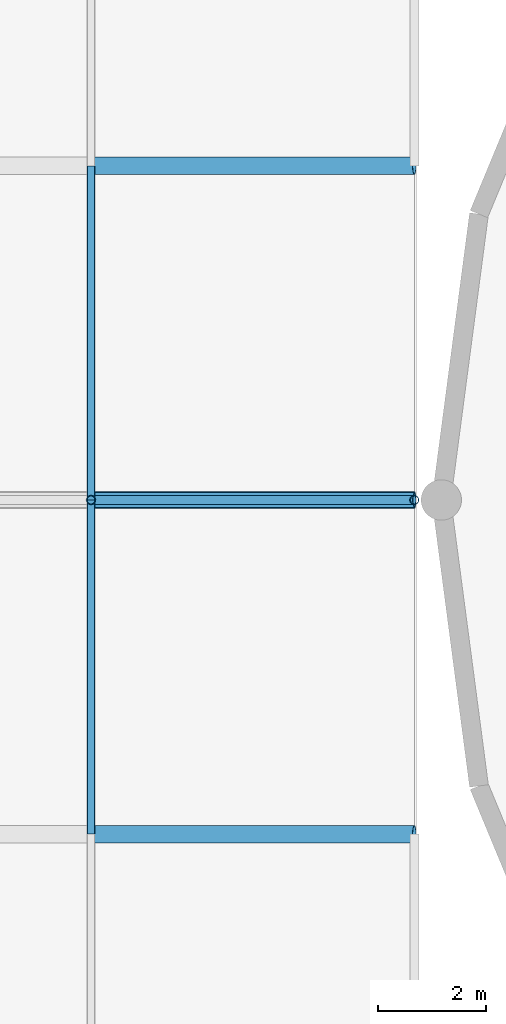
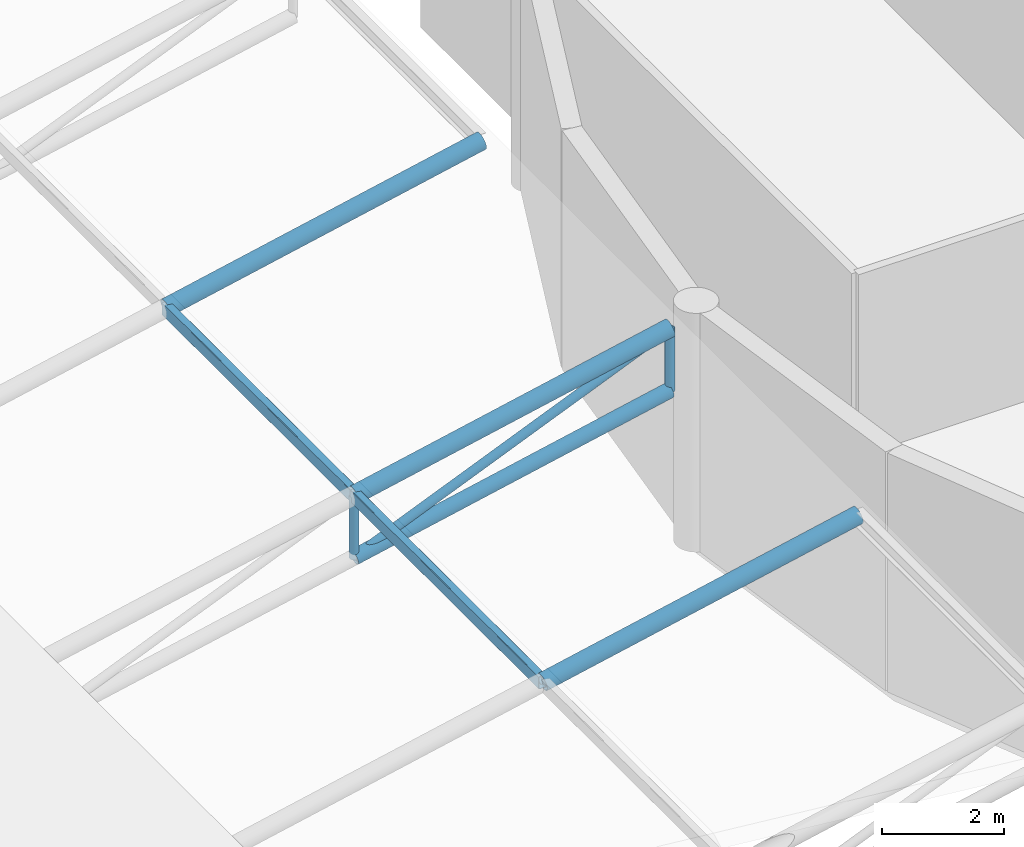
# One storey, part 18 of 48: 9 members.
"""IFC4 building model written with IfcOpenShell, lengths in metres."""

from ifc_helpers import new_model, si_unit, direction, frame, origin, origin_2d, place, context, subcontext, project, spatial, hollow_rectangle, hollow_circle, extrude, material, material_profile, profile_set, type_object, element, save


model = new_model("IFC4")

# Units and contexts
model_context = context("Model", 3, precision=1e-05, world=origin(), true_north=direction((0.0, 1.0)))
body_context = subcontext(model_context, "Body", "Model", "MODEL_VIEW")
ifc_project = project(units=[si_unit("LENGTHUNIT", "METRE"), si_unit("AREAUNIT", "SQUARE_METRE"), si_unit("VOLUMEUNIT", "CUBIC_METRE"), si_unit("PLANEANGLEUNIT", "RADIAN"), si_unit("MASSUNIT", "GRAM", prefix="KILO")], contexts=[model_context])

# Site, building, storey
site_placement = place(None, origin())
site = spatial("IfcSite", under=ifc_project, at=site_placement, CompositionType="ELEMENT")
building_placement = place(site_placement, origin())
building = spatial("IfcBuilding", under=site, at=building_placement, Name="Mirzam Square Science Centre", CompositionType="ELEMENT")
storey_placement = place(building_placement, frame((0.0, 0.0, 20.39990234375)))
storey = spatial("IfcBuildingStorey", under=building, at=storey_placement, Name="L04", CompositionType="ELEMENT", Elevation=20.39990234375)

# Members
ifc_material = material(Name="Steel S355", Category="steel")
ifc_material_profile_1 = material_profile(ifc_material, hollow_circle(Radius=0.084228515625, WallThickness=0.008056640625, at=origin_2d()), Name="168.3x8.0CHS")
ifc_profile_set_1 = profile_set([ifc_material_profile_1], Name="Steel S355")
member_type_1 = type_object("IfcMemberType", Name="BR-CHS168", PredefinedType="BRACE", material=ifc_profile_set_1)
member_1_placement = place(storey_placement, frame((54.0, 62.0, 1.91455078125), z_axis=(0.922529582988, 0.0, 0.385926377063), x_axis=(0.0, 1.0, 0.0)))
element("IfcMember", 1, at=member_1_placement, inside=storey, type_object=member_type_1, Name="Wedge truss web diagonal Y11 bay 10", PredefinedType="BRACE", context=body_context, shape_type="SweptSolid", body=[
    extrude(hollow_circle(Radius=0.084228515625, WallThickness=0.008056640625, at=origin_2d()), origin(), (0.0, 0.0, 1.0), 6.50390625),
])
for number, where, z_axis, x_axis, name in (
    (2, (54.0, 62.0, 1.91455078125), (0.0, 0.0, 1.0), (1.0, 0.0, 0.0), "Wedge truss post Y11 bay 10"),
    (3, (60.0, 62.0, 3.174560546875), (0.0, 0.0, 1.0), (1.0, 0.0, 0.0), "Wedge truss end post Y11"),
):
    element("IfcMember", number, at=place(storey_placement, frame(where, z_axis=z_axis, x_axis=x_axis)), inside=storey, type_object=member_type_1, Name=name, PredefinedType="BRACE", context=body_context, shape_type="SweptSolid", body=[
        extrude(hollow_circle(Radius=0.084228515625, WallThickness=0.008056640625, at=origin_2d()), origin(), (0.0, 0.0, 1.0), 1.25),
    ])
ifc_material_profile_2 = material_profile(ifc_material, hollow_circle(Radius=0.136474609375, WallThickness=0.010009765625, at=origin_2d()), Name="273.0x10.0CHS")
ifc_profile_set_2 = profile_set([ifc_material_profile_2], Name="Steel S355")
member_type_2 = type_object("IfcMemberType", Name="CH-CHS273", PredefinedType="CHORD", material=ifc_profile_set_2)
member_2_placement = place(storey_placement, frame((54.0, 62.0, 1.91455078125), z_axis=(0.978653176229, 0.0, 0.205518759868), x_axis=(0.0, 1.0, 0.0)))
element("IfcMember", 4, at=member_2_placement, inside=storey, type_object=member_type_2, Name="Wedge truss bottom chord Y11 bay 10", PredefinedType="CHORD", context=body_context, shape_type="SweptSolid", body=[
    extrude(hollow_circle(Radius=0.136474609375, WallThickness=0.010009765625, at=origin_2d()), origin(), (0.0, 0.0, 1.0), 6.130859375),
])
ifc_material_profile_3 = material_profile(ifc_material, hollow_circle(Radius=0.161865234375, WallThickness=0.012451171875, at=origin_2d()), Name="323.9x12.5CHS")
ifc_profile_set_3 = profile_set([ifc_material_profile_3], Name="Steel S355")
member_type_3 = type_object("IfcMemberType", Name="CH-CHS324", PredefinedType="CHORD", material=ifc_profile_set_3)
for number, where, z_axis, x_axis, name in (
    (5, (54.0, 55.800048828125, 3.16455078125), (0.978653176229, 0.0, 0.205518759868), (0.0, 1.0, 0.0), "Wedge truss top chord Y10 bay 10"),
    (6, (54.0, 62.0, 3.16455078125), (0.978653176229, 0.0, 0.205518759868), (0.0, 1.0, 0.0), "Wedge truss top chord Y11 bay 10"),
    (7, (54.0, 68.199951171875, 3.16455078125), (0.978653176229, 0.0, 0.205518759868), (0.0, 1.0, 0.0), "Wedge truss top chord Y12 bay 10"),
):
    element("IfcMember", number, at=place(storey_placement, frame(where, z_axis=z_axis, x_axis=x_axis)), inside=storey, type_object=member_type_3, Name=name, PredefinedType="CHORD", context=body_context, shape_type="SweptSolid", body=[
        extrude(hollow_circle(Radius=0.161865234375, WallThickness=0.012451171875, at=origin_2d()), origin(), (0.0, 0.0, 1.0), 6.130859375),
    ])
ifc_material_profile_4 = material_profile(ifc_material, hollow_rectangle(XDim=0.14990234375, YDim=0.25, WallThickness=0.010009765625, InnerFilletRadius=0.010009765625, OuterFilletRadius=0.02001953125, at=origin_2d()), Name="250x150x10.0RHS")
ifc_profile_set_4 = profile_set([ifc_material_profile_4], Name="Steel S355")
member_type_4 = type_object("IfcMemberType", Name="RF-RHS250", PredefinedType="RAFTER", material=ifc_profile_set_4)
for number, where, z_axis, x_axis, name in (
    (8, (54.0, 55.800048828125, 3.16748046875), (0.0, 1.0, 0.0), (-1.0, 0.0, 0.0), "Wedge roof rafter X10-10"),
    (9, (54.0, 62.0, 3.16748046875), (0.0, 1.0, 0.0), (-1.0, 0.0, 0.0), "Wedge roof rafter X10-11"),
):
    element("IfcMember", number, at=place(storey_placement, frame(where, z_axis=z_axis, x_axis=x_axis)), inside=storey, type_object=member_type_4, Name=name, PredefinedType="RAFTER", context=body_context, shape_type="SweptSolid", body=[
        extrude(hollow_rectangle(XDim=0.14990234375, YDim=0.25, WallThickness=0.010009765625, InnerFilletRadius=0.010009765625, OuterFilletRadius=0.02001953125, at=origin_2d()), origin(), (0.0, 0.0, 1.0), 6.199951171875),
    ])

save(model, "model.ifc")
